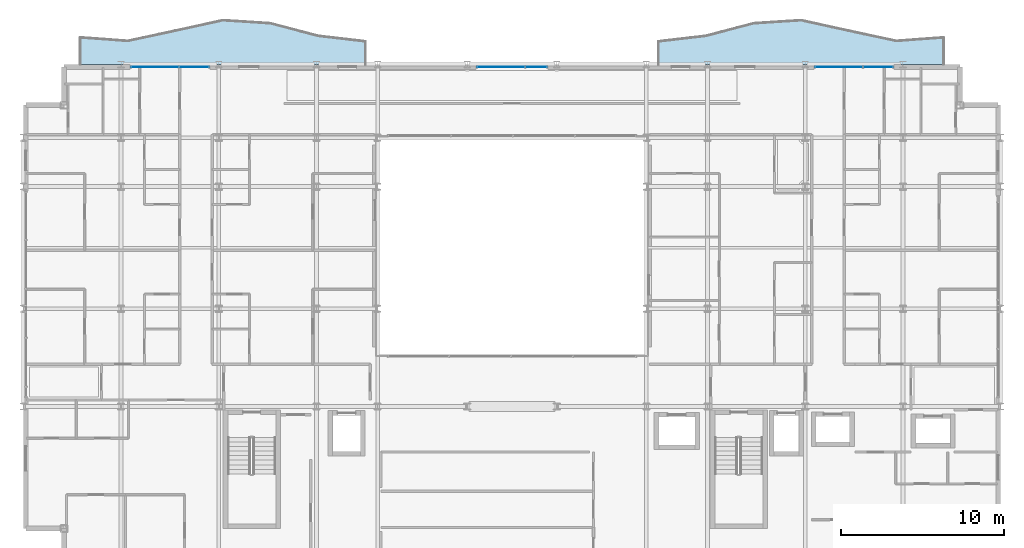
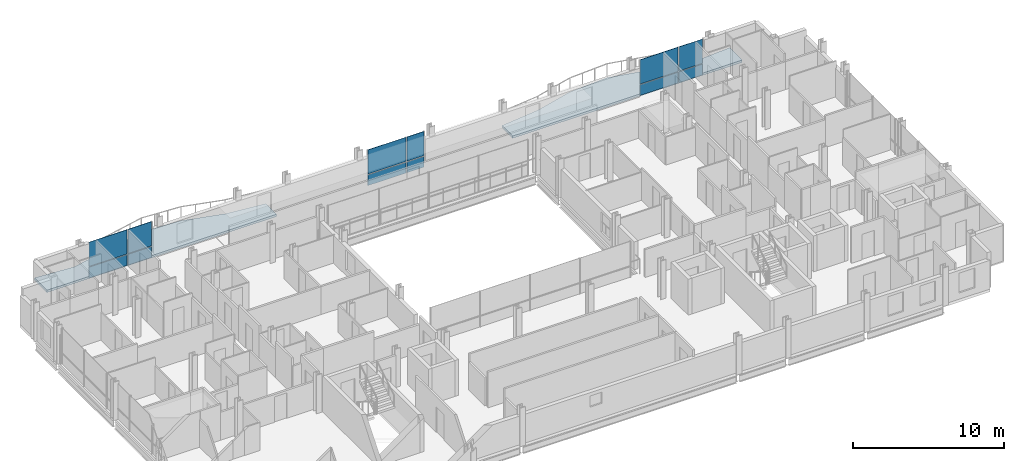
# One storey, part 29 of 41: 12 plates, 2 slabs, 3 elements without a shape of their own.
"""IFC4 building model written with IfcOpenShell, lengths in metres."""

from ifc_helpers import new_model, si_unit, direction, frame, origin, origin_2d, place, context, subcontext, project, spatial, polyline, rectangle, outline, extrude, material, layer, layer_set, type_object, element, aggregate, save


model = new_model("IFC4")

# Units and contexts
model_context = context("Model", 3, precision=1e-05, world=origin(), true_north=direction((0.0, 1.0)))
body_context = subcontext(model_context, "Body", "Model", "MODEL_VIEW")
ifc_project = project(units=[si_unit("LENGTHUNIT", "METRE"), si_unit("AREAUNIT", "SQUARE_METRE"), si_unit("VOLUMEUNIT", "CUBIC_METRE"), si_unit("PLANEANGLEUNIT", "RADIAN"), si_unit("MASSUNIT", "GRAM", prefix="KILO")], contexts=[model_context])

# Site, building, storey
site_placement = place(None, origin())
site = spatial("IfcSite", under=ifc_project, at=site_placement, CompositionType="ELEMENT")
building_placement = place(site_placement, origin())
building = spatial("IfcBuilding", under=site, at=building_placement, Name="Brevholm Reach", CompositionType="ELEMENT")
storey_placement = place(building_placement, frame((0.0, 0.0, 112.800048828125)))
storey = spatial("IfcBuildingStorey", under=building, at=storey_placement, Name="L33", CompositionType="ELEMENT", Elevation=112.800048828125)

# Curtain wall, plates
ifc_material_1 = material(Name="Dark Anodised Aluminium 6063-T6 and Solar-Control Glass", Category="aluminium")
ifc_layer_1 = layer(ifc_material_1, 0.14990234375)
ifc_layer_set_1 = layer_set([ifc_layer_1], Name="Dark Anodised Aluminium 6063-T6 and Solar-Control Glass")
curtain_wall_type = type_object("IfcCurtainWallType", Name="CW-01", PredefinedType="NOTDEFINED", material=ifc_layer_set_1)
curtain_wall_1_placement = place(storey_placement, origin())
curtain_wall_1 = element("IfcCurtainWall", 1, at=curtain_wall_1_placement, inside=storey, type_object=curtain_wall_type, Name="L33 Curtain Wall CW-01", PredefinedType="NOTDEFINED")
ifc_material_2 = material(Name="Dark Solar-Control Double-Glazed IGU Glass", Category="glass")
ifc_layer_2 = layer(ifc_material_2, 0.028076171875)
ifc_layer_set_2 = layer_set([ifc_layer_2], Name="Dark Solar-Control Double-Glazed IGU Glass")
plate_type = type_object("IfcPlateType", Name="CWP-GLZ-28", PredefinedType="CURTAIN_PANEL", material=ifc_layer_set_2)
plate_1_placement = place(storey_placement, frame((8.066162109375, 30.85009765625, 0.0), z_axis=(0.0, 0.0, 1.0), x_axis=(1.0, 0.0, 0.0)))
plate_1 = element("IfcPlate", 2, at=plate_1_placement, type_object=plate_type, Name="CP-01 Glazing Panel 1.1", PredefinedType="CURTAIN_PANEL", context=body_context, shape_type="SweptSolid", body=[
    extrude(rectangle(XDim=2.902587890625, YDim=0.028076171875, at=origin_2d()), origin(), (0.0, 0.0, 1.0), 0.867431640625),
])
plate_2_placement = place(storey_placement, frame((8.066162109375, 30.85009765625, 0.9326171875), z_axis=(0.0, 0.0, 1.0), x_axis=(1.0, 0.0, 0.0)))
plate_2 = element("IfcPlate", 3, at=plate_2_placement, type_object=plate_type, Name="CP-01 Glazing Panel 1.2", PredefinedType="CURTAIN_PANEL", context=body_context, shape_type="SweptSolid", body=[
    extrude(rectangle(XDim=2.902587890625, YDim=0.028076171875, at=origin_2d()), origin(), (0.0, 0.0, 1.0), 1.947509765625),
])
plate_3_placement = place(storey_placement, frame((10.483642578125, 30.85009765625, 0.0), z_axis=(0.0, 0.0, 1.0), x_axis=(1.0, 0.0, 0.0)))
plate_3 = element("IfcPlate", 4, at=plate_3_placement, type_object=plate_type, Name="CP-01 Glazing Panel 2.1", PredefinedType="CURTAIN_PANEL", context=body_context, shape_type="SweptSolid", body=[
    extrude(rectangle(XDim=1.802490234375, YDim=0.028076171875, at=origin_2d()), origin(), (0.0, 0.0, 1.0), 0.867431640625),
])
plate_4_placement = place(storey_placement, frame((10.483642578125, 30.85009765625, 0.9326171875), z_axis=(0.0, 0.0, 1.0), x_axis=(1.0, 0.0, 0.0)))
plate_4 = element("IfcPlate", 5, at=plate_4_placement, type_object=plate_type, Name="CP-01 Glazing Panel 2.2", PredefinedType="CURTAIN_PANEL", context=body_context, shape_type="SweptSolid", body=[
    extrude(rectangle(XDim=1.802490234375, YDim=0.028076171875, at=origin_2d()), origin(), (0.0, 0.0, 1.0), 1.947509765625),
])
aggregate(curtain_wall_1, [plate_1, plate_2, plate_3, plate_4])

curtain_wall_2_placement = place(storey_placement, origin())
curtain_wall_2 = element("IfcCurtainWall", 6, at=curtain_wall_2_placement, inside=storey, type_object=curtain_wall_type, Name="L33 Curtain Wall CW-01", PredefinedType="NOTDEFINED")
plate_5_placement = place(storey_placement, frame((29.316162109375, 30.85009765625, 0.0), z_axis=(0.0, 0.0, 1.0), x_axis=(1.0, 0.0, 0.0)))
plate_5 = element("IfcPlate", 7, at=plate_5_placement, type_object=plate_type, Name="CP-01 Glazing Panel 1.1", PredefinedType="CURTAIN_PANEL", context=body_context, shape_type="SweptSolid", body=[
    extrude(rectangle(XDim=2.902587890625, YDim=0.028076171875, at=origin_2d()), origin(), (0.0, 0.0, 1.0), 0.867431640625),
])
plate_6_placement = place(storey_placement, frame((29.316162109375, 30.85009765625, 0.9326171875), z_axis=(0.0, 0.0, 1.0), x_axis=(1.0, 0.0, 0.0)))
plate_6 = element("IfcPlate", 8, at=plate_6_placement, type_object=plate_type, Name="CP-01 Glazing Panel 1.2", PredefinedType="CURTAIN_PANEL", context=body_context, shape_type="SweptSolid", body=[
    extrude(rectangle(XDim=2.902587890625, YDim=0.028076171875, at=origin_2d()), origin(), (0.0, 0.0, 1.0), 1.947509765625),
])
plate_7_placement = place(storey_placement, frame((31.483642578125, 30.85009765625, 0.0), z_axis=(0.0, 0.0, 1.0), x_axis=(1.0, 0.0, 0.0)))
plate_7 = element("IfcPlate", 9, at=plate_7_placement, type_object=plate_type, Name="CP-01 Glazing Panel 2.1", PredefinedType="CURTAIN_PANEL", context=body_context, shape_type="SweptSolid", body=[
    extrude(rectangle(XDim=1.302490234375, YDim=0.028076171875, at=origin_2d()), origin(), (0.0, 0.0, 1.0), 0.867431640625),
])
plate_8_placement = place(storey_placement, frame((31.483642578125, 30.85009765625, 0.9326171875), z_axis=(0.0, 0.0, 1.0), x_axis=(1.0, 0.0, 0.0)))
plate_8 = element("IfcPlate", 10, at=plate_8_placement, type_object=plate_type, Name="CP-01 Glazing Panel 2.2", PredefinedType="CURTAIN_PANEL", context=body_context, shape_type="SweptSolid", body=[
    extrude(rectangle(XDim=1.302490234375, YDim=0.028076171875, at=origin_2d()), origin(), (0.0, 0.0, 1.0), 1.947509765625),
])
aggregate(curtain_wall_2, [plate_5, plate_6, plate_7, plate_8])

curtain_wall_3_placement = place(storey_placement, origin())
curtain_wall_3 = element("IfcCurtainWall", 11, at=curtain_wall_3_placement, inside=storey, type_object=curtain_wall_type, Name="L33 Curtain Wall CW-01", PredefinedType="NOTDEFINED")
plate_9_placement = place(storey_placement, frame((50.066162109375, 30.85009765625, 0.0), z_axis=(0.0, 0.0, 1.0), x_axis=(1.0, 0.0, 0.0)))
plate_9 = element("IfcPlate", 12, at=plate_9_placement, type_object=plate_type, Name="CP-01 Glazing Panel 1.1", PredefinedType="CURTAIN_PANEL", context=body_context, shape_type="SweptSolid", body=[
    extrude(rectangle(XDim=2.902587890625, YDim=0.028076171875, at=origin_2d()), origin(), (0.0, 0.0, 1.0), 0.867431640625),
])
plate_10_placement = place(storey_placement, frame((50.066162109375, 30.85009765625, 0.9326171875), z_axis=(0.0, 0.0, 1.0), x_axis=(1.0, 0.0, 0.0)))
plate_10 = element("IfcPlate", 13, at=plate_10_placement, type_object=plate_type, Name="CP-01 Glazing Panel 1.2", PredefinedType="CURTAIN_PANEL", context=body_context, shape_type="SweptSolid", body=[
    extrude(rectangle(XDim=2.902587890625, YDim=0.028076171875, at=origin_2d()), origin(), (0.0, 0.0, 1.0), 1.947509765625),
])
plate_11_placement = place(storey_placement, frame((52.483642578125, 30.85009765625, 0.0), z_axis=(0.0, 0.0, 1.0), x_axis=(1.0, 0.0, 0.0)))
plate_11 = element("IfcPlate", 14, at=plate_11_placement, type_object=plate_type, Name="CP-01 Glazing Panel 2.1", PredefinedType="CURTAIN_PANEL", context=body_context, shape_type="SweptSolid", body=[
    extrude(rectangle(XDim=1.802490234375, YDim=0.028076171875, at=origin_2d()), origin(), (0.0, 0.0, 1.0), 0.867431640625),
])
plate_12_placement = place(storey_placement, frame((52.483642578125, 30.85009765625, 0.9326171875), z_axis=(0.0, 0.0, 1.0), x_axis=(1.0, 0.0, 0.0)))
plate_12 = element("IfcPlate", 15, at=plate_12_placement, type_object=plate_type, Name="CP-01 Glazing Panel 2.2", PredefinedType="CURTAIN_PANEL", context=body_context, shape_type="SweptSolid", body=[
    extrude(rectangle(XDim=1.802490234375, YDim=0.028076171875, at=origin_2d()), origin(), (0.0, 0.0, 1.0), 1.947509765625),
])
aggregate(curtain_wall_3, [plate_9, plate_10, plate_11, plate_12])

# Slabs
ifc_material_3 = material(Name="Precast Concrete C40/50", Category="concrete")
ifc_layer_3 = layer(ifc_material_3, 0.179931640625)
ifc_layer_set_3 = layer_set([ifc_layer_3], Name="Precast Concrete C40/50")
slab_type = type_object("IfcSlabType", Name="SLB-BAL-180", PredefinedType="FLOOR", material=ifc_layer_set_3)
slab_1_placement = place(storey_placement, frame((0.0, 0.0, -0.179931640625)))
element("IfcSlab", 16, at=slab_1_placement, inside=storey, type_object=slab_type, Name="L33 Rippling External Balcony NE", PredefinedType="FLOOR", context=body_context, shape_type="SweptSolid", body=[
    extrude(outline(polyline([(39.0, 31.0), (56.5, 31.0), (56.5, 32.650146484375), (53.583251953125, 32.436767578125), (50.666748046875, 33.063232421875), (47.75, 33.705078125), (44.833251953125, 33.517822265625), (41.916748046875, 32.747802734375), (39.0, 32.408203125), (39.0, 31.0)])), origin(), (0.0, 0.0, 1.0), 0.179931640625),
])
slab_2_placement = place(storey_placement, frame((0.0, 0.0, -0.179931640625)))
element("IfcSlab", 17, at=slab_2_placement, inside=storey, type_object=slab_type, Name="L33 Rippling External Balcony NW", PredefinedType="FLOOR", context=body_context, shape_type="SweptSolid", body=[
    extrude(outline(polyline([(3.5, 31.0), (21.0, 31.0), (21.0, 32.408203125), (18.083251953125, 32.747802734375), (15.166748046875, 33.517822265625), (12.25, 33.705078125), (9.333251953125, 33.063232421875), (6.416748046875, 32.436767578125), (3.5, 32.650146484375), (3.5, 31.0)])), origin(), (0.0, 0.0, 1.0), 0.179931640625),
])

save(model, "model.ifc")
